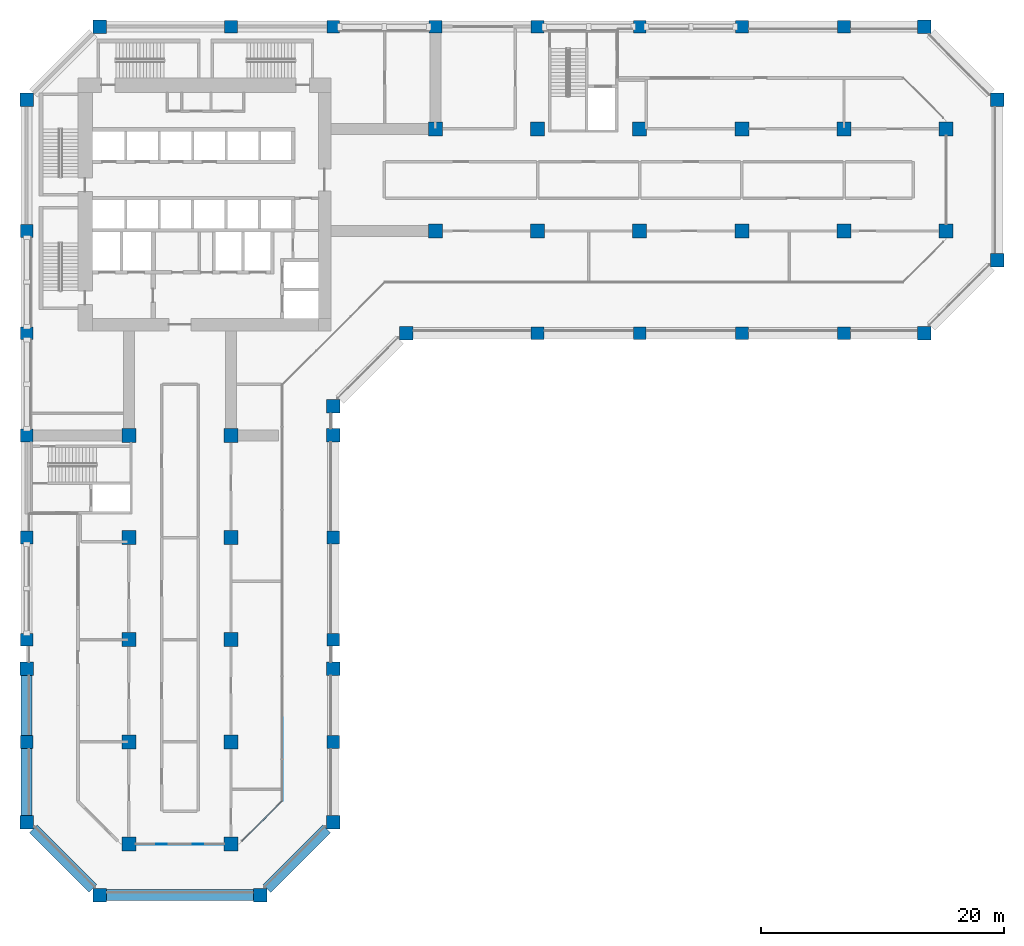
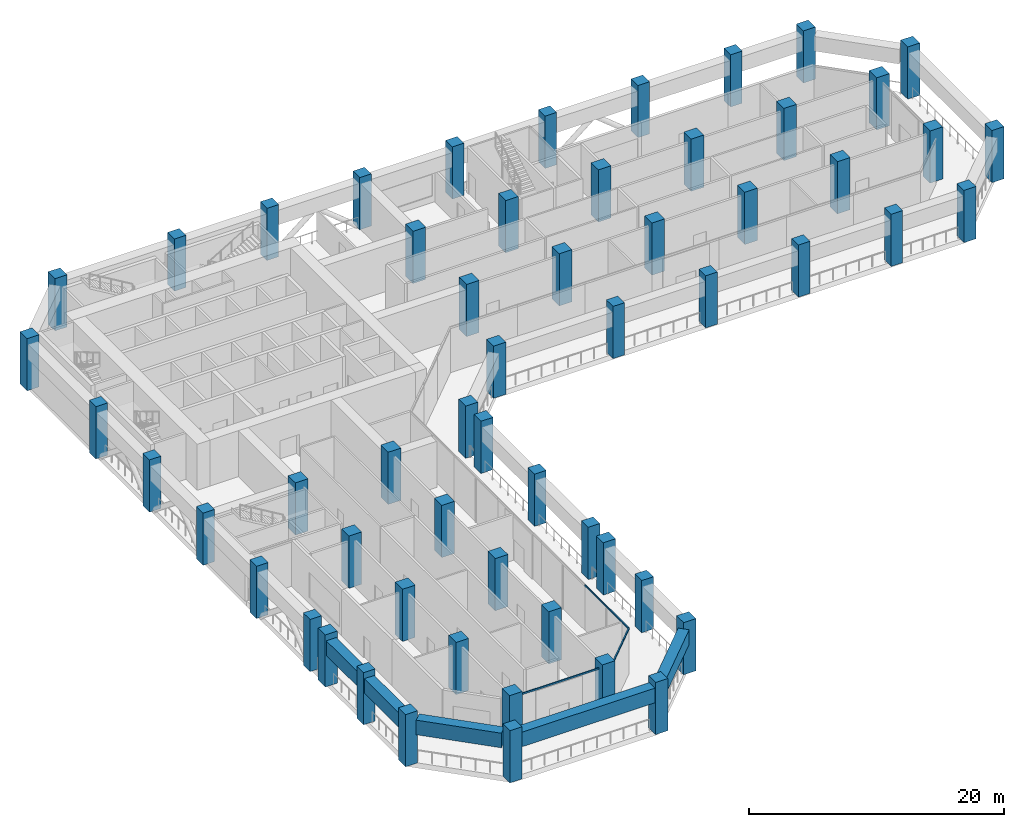
# One storey, part 1 of 19: 57 columns, 5 beams, 3 members, 3 elements without a shape of their own.
"""IFC4 building model written with IfcOpenShell, lengths in metres."""

from ifc_helpers import new_model, si_unit, direction, frame, origin, origin_2d, place, context, subcontext, project, spatial, rectangle, extrude, material, layer, layer_set, material_profile, profile_set, type_object, element, aggregate, save


model = new_model("IFC4")

# Units and contexts
model_context = context("Model", 3, precision=1e-05, world=origin(), true_north=direction((0.0, 1.0)))
body_context = subcontext(model_context, "Body", "Model", "MODEL_VIEW")
ifc_project = project(units=[si_unit("LENGTHUNIT", "METRE"), si_unit("AREAUNIT", "SQUARE_METRE"), si_unit("VOLUMEUNIT", "CUBIC_METRE"), si_unit("PLANEANGLEUNIT", "RADIAN"), si_unit("MASSUNIT", "GRAM", prefix="KILO")], contexts=[model_context])

# Site, building, storey
site_placement = place(None, origin())
site = spatial("IfcSite", under=ifc_project, at=site_placement, CompositionType="ELEMENT")
building_placement = place(site_placement, origin())
building = spatial("IfcBuilding", under=site, at=building_placement, Name="Kawkab Arch Medical Tower", CompositionType="ELEMENT")
storey_placement = place(building_placement, frame((0.0, 0.0, 93.800048828125)))
storey = spatial("IfcBuildingStorey", under=building, at=storey_placement, Name="L21", CompositionType="ELEMENT", Elevation=93.800048828125)

# Columns
ifc_material_1 = material(Name="Concrete C55/67", Category="concrete")
ifc_material_profile_1 = material_profile(ifc_material_1, rectangle(XDim=1.050048828125, YDim=1.050048828125, at=origin_2d()), Name="RC 1050x1050")
ifc_profile_set_1 = profile_set([ifc_material_profile_1], Name="Concrete C55/67")
column_type_1 = type_object("IfcColumnType", Name="RC 1050x1050 column C55/67", PredefinedType="COLUMN", material=ifc_profile_set_1)
for number, where, z_axis, x_axis, name in (
    (1, (16.800048828125, 0.0, 0.0), (0.0, 0.0, 1.0), (1.0, 0.0, 0.0), "Column RC 1050x1050"),
    (2, (25.199951171875, 0.0, 0.0), (0.0, 0.0, 1.0), (1.0, 0.0, 0.0), "Column RC 1050x1050"),
    (3, (33.60009765625, 0.0, 0.0), (0.0, 0.0, 1.0), (1.0, 0.0, 0.0), "Column RC 1050x1050"),
    (4, (42.0, 0.0, 0.0), (0.0, 0.0, 1.0), (1.0, 0.0, 0.0), "Column RC 1050x1050"),
    (5, (50.39990234375, 0.0, 0.0), (0.0, 0.0, 1.0), (1.0, 0.0, 0.0), "Column RC 1050x1050"),
    (6, (58.800048828125, 0.0, 0.0), (0.0, 0.0, 1.0), (1.0, 0.0, 0.0), "Column RC 1050x1050"),
    (7, (67.199951171875, 0.0, 0.0), (0.0, 0.0, 1.0), (1.0, 0.0, 0.0), "Column RC 1050x1050"),
    (8, (0.0, -16.800048828125, 0.0), (0.0, 0.0, 1.0), (1.0, 0.0, 0.0), "Column RC 1050x1050"),
    (9, (0.0, -25.199951171875, 0.0), (0.0, 0.0, 1.0), (1.0, 0.0, 0.0), "Column RC 1050x1050"),
    (10, (42.0, -25.199951171875, 0.0), (0.0, 0.0, 1.0), (1.0, 0.0, 0.0), "Column RC 1050x1050"),
    (11, (50.39990234375, -25.199951171875, 0.0), (0.0, 0.0, 1.0), (1.0, 0.0, 0.0), "Column RC 1050x1050"),
    (12, (58.800048828125, -25.199951171875, 0.0), (0.0, 0.0, 1.0), (1.0, 0.0, 0.0), "Column RC 1050x1050"),
    (13, (67.199951171875, -25.199951171875, 0.0), (0.0, 0.0, 1.0), (1.0, 0.0, 0.0), "Column RC 1050x1050"),
    (14, (0.0, -33.60009765625, 0.0), (0.0, 0.0, 1.0), (1.0, 0.0, 0.0), "Column RC 1050x1050"),
    (15, (0.0, -42.0, 0.0), (0.0, 0.0, 1.0), (1.0, 0.0, 0.0), "Column RC 1050x1050"),
    (16, (25.199951171875, -42.0, 0.0), (0.0, 0.0, 1.0), (1.0, 0.0, 0.0), "Column RC 1050x1050"),
    (17, (0.0, -50.39990234375, 0.0), (0.0, 0.0, 1.0), (1.0, 0.0, 0.0), "Column RC 1050x1050"),
    (18, (25.199951171875, -50.39990234375, 0.0), (0.0, 0.0, 1.0), (1.0, 0.0, 0.0), "Column RC 1050x1050"),
    (19, (0.0, -58.800048828125, 0.0), (0.0, 0.0, 1.0), (1.0, 0.0, 0.0), "Column RC 1050x1050"),
    (20, (25.199951171875, -58.800048828125, 0.0), (0.0, 0.0, 1.0), (1.0, 0.0, 0.0), "Column RC 1050x1050"),
):
    element("IfcColumn", number, at=place(storey_placement, frame(where, z_axis=z_axis, x_axis=x_axis)), inside=storey, type_object=column_type_1, Name=name, PredefinedType="COLUMN", context=body_context, shape_type="SweptSolid", body=[
        extrude(rectangle(XDim=1.050048828125, YDim=1.050048828125, at=origin_2d()), origin(), (0.0, 0.0, 1.0), 5.0),
    ])
ifc_material_2 = material(Name="Concrete C55/67", Category="concrete")
ifc_material_profile_2 = material_profile(ifc_material_2, rectangle(XDim=1.10009765625, YDim=1.10009765625, at=origin_2d()), Name="RC 1100x1100")
ifc_profile_set_2 = profile_set([ifc_material_profile_2], Name="Concrete C55/67")
column_type_2 = type_object("IfcColumnType", Name="RC 1100x1100 column C55/67", PredefinedType="COLUMN", material=ifc_profile_set_2)
for number, where, z_axis, x_axis, name in (
    (21, (6.0, 0.0, 0.0), (0.0, 0.0, 1.0), (1.0, 0.0, 0.0), "Column RC 1100x1100"),
    (22, (73.800048828125, 0.0, 0.0), (0.0, 0.0, 1.0), (1.0, 0.0, 0.0), "Column RC 1100x1100"),
    (23, (0.0, -6.0, 0.0), (0.0, 0.0, 1.0), (1.0, 0.0, 0.0), "Column RC 1100x1100"),
    (24, (79.800048828125, -6.0, 0.0), (0.0, 0.0, 1.0), (1.0, 0.0, 0.0), "Column RC 1100x1100"),
    (25, (79.800048828125, -19.199951171875, 0.0), (0.0, 0.0, 1.0), (1.0, 0.0, 0.0), "Column RC 1100x1100"),
    (26, (31.199951171875, -25.199951171875, 0.0), (0.0, 0.0, 1.0), (1.0, 0.0, 0.0), "Column RC 1100x1100"),
    (27, (73.800048828125, -25.199951171875, 0.0), (0.0, 0.0, 1.0), (1.0, 0.0, 0.0), "Column RC 1100x1100"),
    (28, (25.199951171875, -31.199951171875, 0.0), (0.0, 0.0, 1.0), (1.0, 0.0, 0.0), "Column RC 1100x1100"),
    (29, (0.0, -65.39990234375, 0.0), (0.0, 0.0, 1.0), (1.0, 0.0, 0.0), "Column RC 1100x1100"),
    (30, (25.199951171875, -65.39990234375, 0.0), (0.0, 0.0, 1.0), (1.0, 0.0, 0.0), "Column RC 1100x1100"),
    (31, (6.0, -71.39990234375, 0.0), (0.0, 0.0, 1.0), (1.0, 0.0, 0.0), "Column RC 1100x1100"),
    (32, (19.199951171875, -71.39990234375, 0.0), (0.0, 0.0, 1.0), (1.0, 0.0, 0.0), "Column RC 1100x1100"),
    (33, (0.0, -52.800048828125, 0.0), (0.0, 0.0, 1.0), (1.0, 0.0, 0.0), "Column RC 1100x1100"),
    (34, (25.199951171875, -52.800048828125, 0.0), (0.0, 0.0, 1.0), (1.0, 0.0, 0.0), "Column RC 1100x1100"),
    (35, (25.199951171875, -33.60009765625, 0.0), (0.0, 0.0, 1.0), (1.0, 0.0, 0.0), "Column RC 1100x1100"),
):
    element("IfcColumn", number, at=place(storey_placement, frame(where, z_axis=z_axis, x_axis=x_axis)), inside=storey, type_object=column_type_2, Name=name, PredefinedType="COLUMN", context=body_context, shape_type="SweptSolid", body=[
        extrude(rectangle(XDim=1.10009765625, YDim=1.10009765625, at=origin_2d()), origin(), (0.0, 0.0, 1.0), 5.0),
    ])
ifc_material_3 = material(Name="Concrete C55/67", Category="concrete")
ifc_material_profile_3 = material_profile(ifc_material_3, rectangle(XDim=1.14990234375, YDim=1.14990234375, at=origin_2d()), Name="RC 1150x1150")
ifc_profile_set_3 = profile_set([ifc_material_profile_3], Name="Concrete C55/67")
column_type_3 = type_object("IfcColumnType", Name="RC 1150x1150 column C55/67", PredefinedType="COLUMN", material=ifc_profile_set_3)
for number, where, z_axis, x_axis, name in (
    (36, (33.60009765625, -8.39990234375, 0.0), (0.0, 0.0, 1.0), (1.0, 0.0, 0.0), "Column RC 1150x1150"),
    (37, (42.0, -8.39990234375, 0.0), (0.0, 0.0, 1.0), (1.0, 0.0, 0.0), "Column RC 1150x1150"),
    (38, (50.39990234375, -8.39990234375, 0.0), (0.0, 0.0, 1.0), (1.0, 0.0, 0.0), "Column RC 1150x1150"),
    (39, (58.800048828125, -8.39990234375, 0.0), (0.0, 0.0, 1.0), (1.0, 0.0, 0.0), "Column RC 1150x1150"),
    (40, (67.199951171875, -8.39990234375, 0.0), (0.0, 0.0, 1.0), (1.0, 0.0, 0.0), "Column RC 1150x1150"),
    (41, (75.60009765625, -8.39990234375, 0.0), (0.0, 0.0, 1.0), (1.0, 0.0, 0.0), "Column RC 1150x1150"),
    (42, (33.60009765625, -16.800048828125, 0.0), (0.0, 0.0, 1.0), (1.0, 0.0, 0.0), "Column RC 1150x1150"),
    (43, (42.0, -16.800048828125, 0.0), (0.0, 0.0, 1.0), (1.0, 0.0, 0.0), "Column RC 1150x1150"),
    (44, (50.39990234375, -16.800048828125, 0.0), (0.0, 0.0, 1.0), (1.0, 0.0, 0.0), "Column RC 1150x1150"),
    (45, (58.800048828125, -16.800048828125, 0.0), (0.0, 0.0, 1.0), (1.0, 0.0, 0.0), "Column RC 1150x1150"),
    (46, (67.199951171875, -16.800048828125, 0.0), (0.0, 0.0, 1.0), (1.0, 0.0, 0.0), "Column RC 1150x1150"),
    (47, (75.60009765625, -16.800048828125, 0.0), (0.0, 0.0, 1.0), (1.0, 0.0, 0.0), "Column RC 1150x1150"),
    (48, (8.39990234375, -33.60009765625, 0.0), (0.0, 0.0, 1.0), (1.0, 0.0, 0.0), "Column RC 1150x1150"),
    (49, (16.800048828125, -33.60009765625, 0.0), (0.0, 0.0, 1.0), (1.0, 0.0, 0.0), "Column RC 1150x1150"),
    (50, (8.39990234375, -42.0, 0.0), (0.0, 0.0, 1.0), (1.0, 0.0, 0.0), "Column RC 1150x1150"),
    (51, (16.800048828125, -42.0, 0.0), (0.0, 0.0, 1.0), (1.0, 0.0, 0.0), "Column RC 1150x1150"),
    (52, (8.39990234375, -50.39990234375, 0.0), (0.0, 0.0, 1.0), (1.0, 0.0, 0.0), "Column RC 1150x1150"),
    (53, (16.800048828125, -50.39990234375, 0.0), (0.0, 0.0, 1.0), (1.0, 0.0, 0.0), "Column RC 1150x1150"),
    (54, (8.39990234375, -58.800048828125, 0.0), (0.0, 0.0, 1.0), (1.0, 0.0, 0.0), "Column RC 1150x1150"),
    (55, (16.800048828125, -58.800048828125, 0.0), (0.0, 0.0, 1.0), (1.0, 0.0, 0.0), "Column RC 1150x1150"),
    (56, (8.39990234375, -67.199951171875, 0.0), (0.0, 0.0, 1.0), (1.0, 0.0, 0.0), "Column RC 1150x1150"),
    (57, (16.800048828125, -67.199951171875, 0.0), (0.0, 0.0, 1.0), (1.0, 0.0, 0.0), "Column RC 1150x1150"),
):
    element("IfcColumn", number, at=place(storey_placement, frame(where, z_axis=z_axis, x_axis=x_axis)), inside=storey, type_object=column_type_3, Name=name, PredefinedType="COLUMN", context=body_context, shape_type="SweptSolid", body=[
        extrude(rectangle(XDim=1.14990234375, YDim=1.14990234375, at=origin_2d()), origin(), (0.0, 0.0, 1.0), 5.0),
    ])

# Curtain wall, member
ifc_material_4 = material(Name="Bronze anodised aluminium curtain wall frame", Category="aluminium")
ifc_layer = layer(ifc_material_4, 0.159912109375)
ifc_layer_set = layer_set([ifc_layer], Name="Bronze anodised aluminium curtain wall frame")
curtain_wall_type = type_object("IfcCurtainWallType", Name="CW4 refuge floor fire-protected glazing", PredefinedType="NOTDEFINED", material=ifc_layer_set)
placement = place(storey_placement, origin())
curtain_wall_1 = element("IfcCurtainWall", 58, at=placement, inside=storey, type_object=curtain_wall_type, Name="CW4 Refuge floor fire-protected glazing R07", PredefinedType="NOTDEFINED")
ifc_material_5 = material(Name="Bronze anodised aluminium curtain wall frame", Category="aluminium")
ifc_material_profile_4 = material_profile(ifc_material_5, rectangle(XDim=0.080078125, YDim=0.159912109375, at=origin_2d()), Name="AL 80x160")
ifc_profile_set_4 = profile_set([ifc_material_profile_4], Name="Bronze anodised aluminium curtain wall frame")
member_type = type_object("IfcMemberType", Name="CW4 transom 160 x 80", PredefinedType="USERDEFINED", material=ifc_profile_set_4)
member_1_placement = place(storey_placement, frame((8.97509765625, -67.200927734375, 4.320068359375), z_axis=(1.0, 0.0, 0.0), x_axis=(0.0, 1.0, 0.0)))
member_1 = element("IfcMember", 59, at=member_1_placement, type_object=member_type, Name="CW4 transom 1", ObjectType="TRANSOM", PredefinedType="USERDEFINED", context=body_context, shape_type="SweptSolid", body=[
    extrude(rectangle(XDim=0.080078125, YDim=0.159912109375, at=origin_2d()), origin(), (0.0, 0.0, 1.0), 7.25),
])
aggregate(curtain_wall_1, [member_1])

curtain_wall_2 = element("IfcCurtainWall", 60, at=placement, inside=storey, type_object=curtain_wall_type, Name="CW4 Refuge floor fire-protected glazing R08", PredefinedType="NOTDEFINED")
member_2_placement = place(storey_placement, frame((17.705078125, -66.955078125, 4.320068359375), z_axis=(0.70708058477, 0.707132976633, 0.0), x_axis=(-0.707132976633, 0.70708058477, 0.0)))
member_2 = element("IfcMember", 61, at=member_2_placement, type_object=member_type, Name="CW4 transom 1", ObjectType="TRANSOM", PredefinedType="USERDEFINED", context=body_context, shape_type="SweptSolid", body=[
    extrude(rectangle(XDim=0.080078125, YDim=0.159912109375, at=origin_2d()), origin(), (0.0, 0.0, 1.0), 4.659912109375),
])
aggregate(curtain_wall_2, [member_2])

curtain_wall_3 = element("IfcCurtainWall", 62, at=placement, inside=storey, type_object=curtain_wall_type, Name="CW4 Refuge floor fire-protected glazing R09", PredefinedType="NOTDEFINED")
member_3_placement = place(storey_placement, frame((21.0, -63.659912109375, 4.320068359375), z_axis=(0.0, 1.0, 0.0), x_axis=(-1.0, 0.0, 0.0)))
member_3 = element("IfcMember", 63, at=member_3_placement, type_object=member_type, Name="CW4 transom 1", ObjectType="TRANSOM", PredefinedType="USERDEFINED", context=body_context, shape_type="SweptSolid", body=[
    extrude(rectangle(XDim=0.080078125, YDim=0.159912109375, at=origin_2d()), origin(), (0.0, 0.0, 1.0), 6.83984375),
])
aggregate(curtain_wall_3, [member_3])

# Beams
ifc_material_6 = material(Name="Concrete C55/67", Category="concrete")
ifc_material_profile_5 = material_profile(ifc_material_6, rectangle(XDim=0.89990234375, YDim=1.39990234375, at=origin_2d()), Name="RC 900x1400")
ifc_profile_set_5 = profile_set([ifc_material_profile_5], Name="Concrete C55/67")
beam_type = type_object("IfcBeamType", Name="RC 900x1400 beam C55/67", PredefinedType="SPANDREL", material=ifc_profile_set_5)
beam_1_placement = place(storey_placement, frame((24.64990234375, -65.949951171875, 3.699951171875), z_axis=(-0.707089165393, -0.707124396542, 0.0), x_axis=(0.707124396542, -0.707089165393, 0.0)))
element("IfcBeam", 64, at=beam_1_placement, inside=storey, type_object=beam_type, Name="Belt beam L21-25", PredefinedType="SPANDREL", context=body_context, shape_type="SweptSolid", body=[
    extrude(rectangle(XDim=0.89990234375, YDim=1.39990234375, at=origin_2d()), origin(), (0.0, 0.0, 1.0), 6.9296875),
])
beam_2_placement = place(storey_placement, frame((18.64990234375, -71.39990234375, 3.699951171875), z_axis=(-1.0, 0.0, 0.0), x_axis=(0.0, -1.0, 0.0)))
element("IfcBeam", 65, at=beam_2_placement, inside=storey, type_object=beam_type, Name="Belt beam L21-26", PredefinedType="SPANDREL", context=body_context, shape_type="SweptSolid", body=[
    extrude(rectangle(XDim=0.89990234375, YDim=1.39990234375, at=origin_2d()), origin(), (0.0, 0.0, 1.0), 12.099853515625),
])
beam_3_placement = place(storey_placement, frame((5.449951171875, -70.85009765625, 3.699951171875), z_axis=(-0.707089165393, 0.707124396542, 0.0), x_axis=(-0.707124396542, -0.707089165393, 0.0)))
element("IfcBeam", 66, at=beam_3_placement, inside=storey, type_object=beam_type, Name="Belt beam L21-27", PredefinedType="SPANDREL", context=body_context, shape_type="SweptSolid", body=[
    extrude(rectangle(XDim=0.89990234375, YDim=1.39990234375, at=origin_2d()), origin(), (0.0, 0.0, 1.0), 6.9296875),
])
beam_4_placement = place(storey_placement, frame((0.0, -64.85009765625, 3.699951171875), z_axis=(0.0, 1.0, 0.0), x_axis=(-1.0, 0.0, 0.0)))
element("IfcBeam", 67, at=beam_4_placement, inside=storey, type_object=beam_type, Name="Belt beam L21-28", PredefinedType="SPANDREL", context=body_context, shape_type="SweptSolid", body=[
    extrude(rectangle(XDim=0.89990234375, YDim=1.39990234375, at=origin_2d()), origin(), (0.0, 0.0, 1.0), 5.525146484375),
])
beam_5_placement = place(storey_placement, frame((0.0, -58.27490234375, 3.699951171875), z_axis=(0.0, 1.0, 0.0), x_axis=(-1.0, 0.0, 0.0)))
element("IfcBeam", 68, at=beam_5_placement, inside=storey, type_object=beam_type, Name="Belt beam L21-29", PredefinedType="SPANDREL", context=body_context, shape_type="SweptSolid", body=[
    extrude(rectangle(XDim=0.89990234375, YDim=1.39990234375, at=origin_2d()), origin(), (0.0, 0.0, 1.0), 4.9248046875),
])

save(model, "model.ifc")
